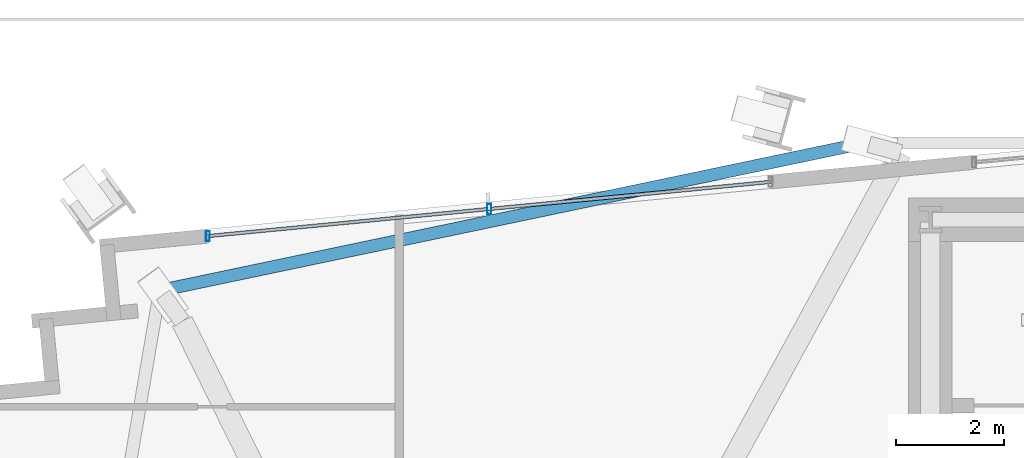
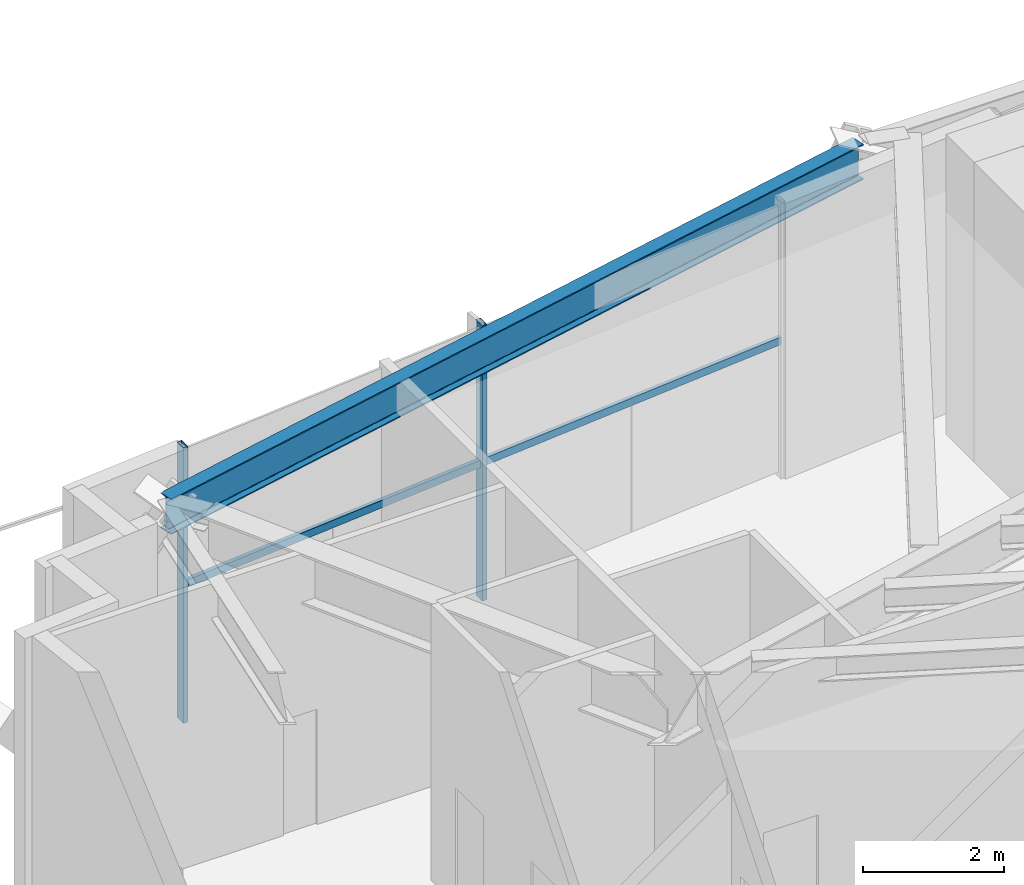
# One storey, part 6 of 28: 4 members, 1 beam, 1 element without a shape of its own.
"""IFC4 building model written with IfcOpenShell, lengths in metres."""

from ifc_helpers import new_model, si_unit, direction, frame, origin, origin_2d, place, context, subcontext, project, spatial, hollow_rectangle, i_section, extrude, source, transform, mapped, material, material_profile, profile_set, type_object, type_shapes, element, aggregate, save


model = new_model("IFC4")

# Units and contexts
model_context = context("Model", 3, precision=1e-05, world=origin(), true_north=direction((0.0, 1.0)))
body_context = subcontext(model_context, "Body", "Model", "MODEL_VIEW")
ifc_project = project(units=[si_unit("LENGTHUNIT", "METRE"), si_unit("AREAUNIT", "SQUARE_METRE"), si_unit("VOLUMEUNIT", "CUBIC_METRE"), si_unit("PLANEANGLEUNIT", "RADIAN"), si_unit("MASSUNIT", "GRAM", prefix="KILO")], contexts=[model_context])

# Site, building, storey
site_placement = place(None, origin())
site = spatial("IfcSite", under=ifc_project, at=site_placement, CompositionType="ELEMENT")
building_placement = place(site_placement, origin())
building = spatial("IfcBuilding", under=site, at=building_placement, Name="Astriad Promenade Condominiums", CompositionType="ELEMENT")
storey_placement = place(building_placement, frame((0.0, 0.0, 72.60009765625)))
storey = spatial("IfcBuildingStorey", under=building, at=storey_placement, Name="L20", CompositionType="ELEMENT", Elevation=72.60009765625)

# Beam
ifc_material_1 = material(Name="Steel ASTM A992 Grade 50", Category="steel")
ifc_material_profile_1 = material_profile(ifc_material_1, i_section(OverallWidth=0.22900390625, OverallDepth=0.612060546875, WebThickness=0.011962890625, FlangeThickness=0.01953125, FilletRadius=0.017822265625, at=origin_2d()), Name="W24X84")
ifc_profile_set_1 = profile_set([ifc_material_profile_1], Name="Steel ASTM A992 Grade 50")
beam_type = type_object("IfcBeamType", Name="STEEL SPANDREL BEAM W24X84", PredefinedType="SPANDREL", material=ifc_profile_set_1)
shared_shape_1 = source(origin(), body_context, "Body", "SweptSolid", [
    extrude(i_section(OverallWidth=0.22900390625, OverallDepth=0.612060546875, WebThickness=0.011962890625, FlangeThickness=0.01953125, FilletRadius=0.017822265625, at=origin_2d()), origin(), (0.0, 0.0, 1.0), 13.19873046875),
])
type_shapes(beam_type, [shared_shape_1])
beam_placement = place(storey_placement, frame((25.140869140625, 25.408203125, 4.473876953125), z_axis=(-0.978768451462, -0.204969066989, 0.0), x_axis=(0.204969066989, -0.978768451462, 0.0)))
element("IfcBeam", 1, at=beam_placement, inside=storey, type_object=beam_type, Name="Perimeter Spandrel Beam SP-N1-L20", PredefinedType="SPANDREL", context=body_context, shape_type="MappedRepresentation", body=[
    mapped(shared_shape_1, transform((0.0, 0.0, 0.0), scale=1.0)),
])

# Curtain wall, members
ifc_material_2 = material(Name="Anodised aluminium Black Dark Glass Unitised", Category="aluminium")
curtain_wall_type = type_object("IfcCurtainWallType", Name="CW-B2-DARK", PredefinedType="USERDEFINED", material=ifc_material_2)
curtain_wall_placement = place(storey_placement, origin())
curtain_wall = element("IfcCurtainWall", 2, at=curtain_wall_placement, inside=storey, type_object=curtain_wall_type, Name="CW-L20-N-1", ObjectType="UNITISED_CURTAIN_WALL", PredefinedType="USERDEFINED")
ifc_material_3 = material(Name="Anodised aluminium 6063-T6 Black", Category="aluminium")
ifc_material_profile_2 = material_profile(ifc_material_3, hollow_rectangle(XDim=0.074951171875, YDim=0.18505859375, WallThickness=0.00439453125, at=origin_2d()), Name="ALU-MUL-75X185")
ifc_profile_set_2 = profile_set([ifc_material_profile_2], Name="Anodised aluminium 6063-T6 Black")
member_type_1 = type_object("IfcMemberType", Name="MUL-ALU-MUL-75X185", PredefinedType="MULLION", material=ifc_profile_set_2)
shared_shape_2 = source(origin(), body_context, "Body", "SweptSolid", [
    extrude(hollow_rectangle(XDim=0.074951171875, YDim=0.18505859375, WallThickness=0.00439453125, at=origin_2d()), origin(), (0.0, 0.0, 1.0), 4.77978515625),
])
type_shapes(member_type_1, [shared_shape_2])
member_1_placement = place(storey_placement, frame((13.070556640625, 23.69970703125, 0.0), z_axis=(0.0, 0.0, 1.0), x_axis=(1.0, 0.0, 0.0)))
member_1 = element("IfcMember", 3, at=member_1_placement, type_object=member_type_1, Name="CW-L20-N-1-MUL-00", PredefinedType="MULLION", context=body_context, shape_type="MappedRepresentation", body=[
    mapped(shared_shape_2, transform((0.0, 0.0, 0.0), scale=1.0)),
])
member_2_placement = place(storey_placement, frame((18.261474609375, 24.19970703125, 0.0), z_axis=(0.0, 0.0, 1.0), x_axis=(1.0, 0.0, 0.0)))
member_2 = element("IfcMember", 4, at=member_2_placement, type_object=member_type_1, Name="CW-L20-N-1-MUL-01", PredefinedType="MULLION", context=body_context, shape_type="MappedRepresentation", body=[
    mapped(shared_shape_2, transform((0.0, 0.0, 0.0), scale=1.0)),
])
ifc_material_profile_3 = material_profile(ifc_material_3, hollow_rectangle(XDim=0.06494140625, YDim=0.1298828125, WallThickness=0.00390625, at=origin_2d()), Name="ALU-TRN-65X130")
ifc_profile_set_3 = profile_set([ifc_material_profile_3], Name="Anodised aluminium 6063-T6 Black")
member_type_2 = type_object("IfcMemberType", Name="TRN-ALU-TRN-65X130", PredefinedType="USERDEFINED", material=ifc_profile_set_3)
shared_shape_3 = source(origin(), body_context, "Body", "SweptSolid", [
    extrude(hollow_rectangle(XDim=0.06494140625, YDim=0.1298828125, WallThickness=0.00390625, at=origin_2d()), origin(), (0.0, 0.0, 1.0), 5.21484375),
])
type_shapes(member_type_2, [shared_shape_3])
member_3_placement = place(storey_placement, frame((13.070556640625, 23.69970703125, 2.349853515625), z_axis=(0.99539306126, 0.095878327037, 0.0), x_axis=(-0.095878327037, 0.99539306126, 0.0)))
member_3 = element("IfcMember", 5, at=member_3_placement, type_object=member_type_2, Name="CW-L20-N-1-TRN-00-0", ObjectType="TRANSOM", PredefinedType="USERDEFINED", context=body_context, shape_type="MappedRepresentation", body=[
    mapped(shared_shape_3, transform((0.0, 0.0, 0.0), scale=1.0)),
])
member_4_placement = place(storey_placement, frame((18.261474609375, 24.19970703125, 2.349853515625), z_axis=(0.995397528121, 0.095831941495, 0.0), x_axis=(-0.095831941495, 0.995397528121, 0.0)))
member_4 = element("IfcMember", 6, at=member_4_placement, type_object=member_type_2, Name="CW-L20-N-1-TRN-01-0", ObjectType="TRANSOM", PredefinedType="USERDEFINED", context=body_context, shape_type="MappedRepresentation", body=[
    mapped(shared_shape_3, transform((0.0, 0.0, 0.0), scale=1.0)),
])
aggregate(curtain_wall, [member_1, member_2, member_3, member_4])

save(model, "model.ifc")
